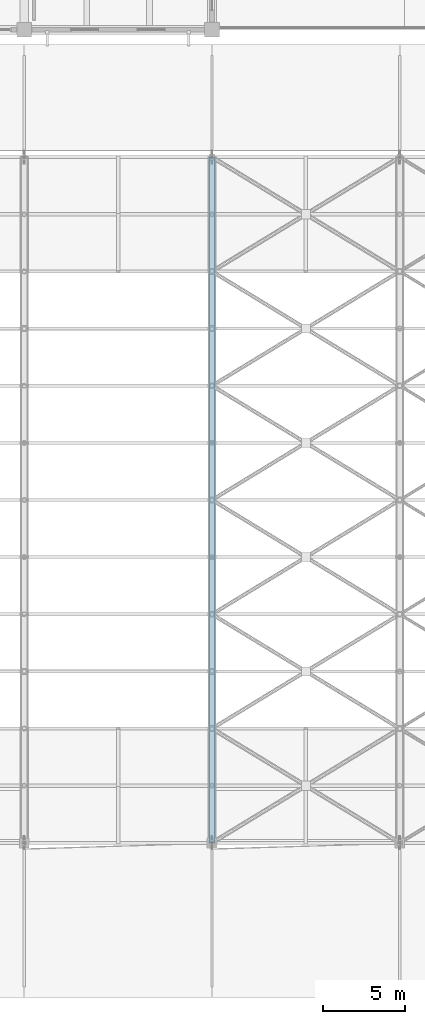
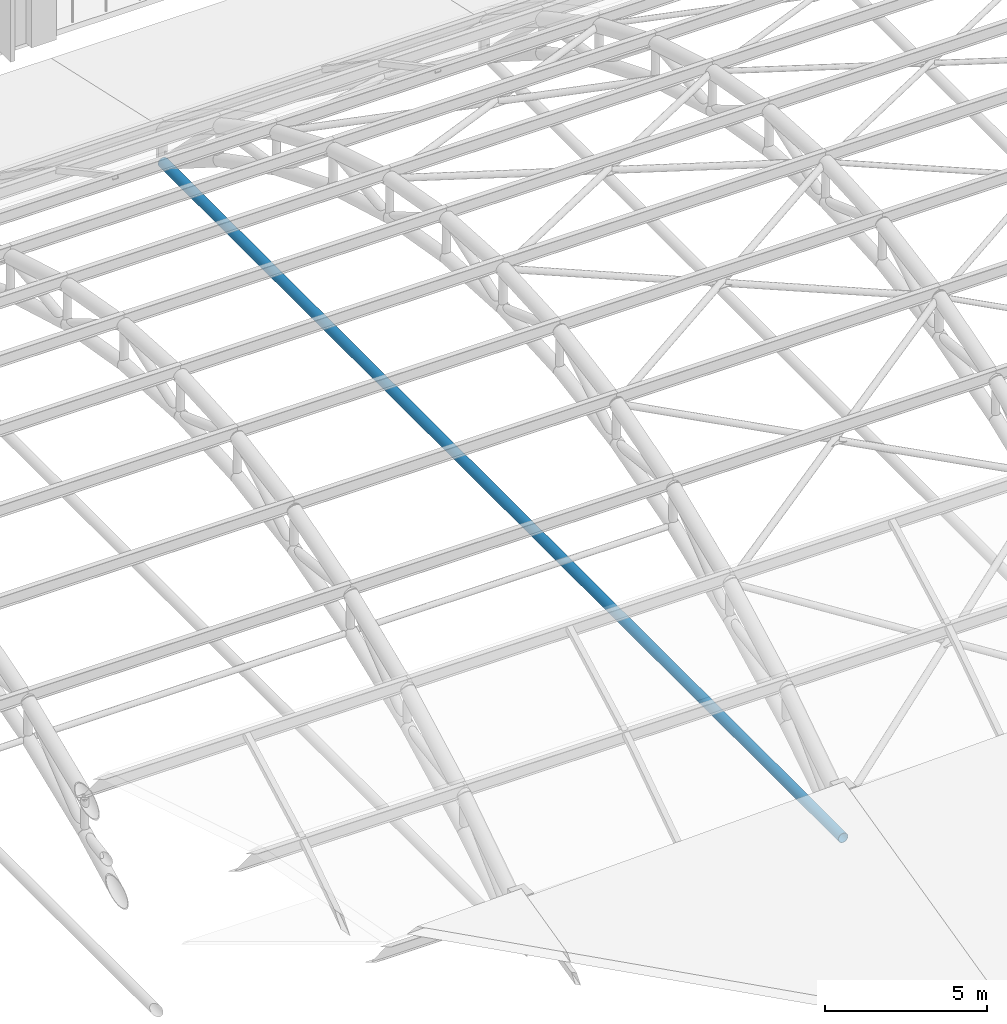
# One storey, part 105 of 154: 1 member.
"""IFC4 building model written with IfcOpenShell, lengths in metres."""

from ifc_helpers import new_model, si_unit, direction, frame, origin, origin_2d, place, context, subcontext, project, spatial, hollow_circle, extrude, material, material_profile, profile_set, type_object, element, save


model = new_model("IFC4")

# Units and contexts
model_context = context("Model", 3, precision=1e-05, world=origin(), true_north=direction((0.0, 1.0)))
body_context = subcontext(model_context, "Body", "Model", "MODEL_VIEW")
ifc_project = project(units=[si_unit("LENGTHUNIT", "METRE"), si_unit("AREAUNIT", "SQUARE_METRE"), si_unit("VOLUMEUNIT", "CUBIC_METRE"), si_unit("PLANEANGLEUNIT", "RADIAN"), si_unit("MASSUNIT", "GRAM", prefix="KILO")], contexts=[model_context])

# Site, building, storey
site_placement = place(None, origin())
site = spatial("IfcSite", under=ifc_project, at=site_placement, CompositionType="ELEMENT")
building_placement = place(site_placement, origin())
building = spatial("IfcBuilding", under=site, at=building_placement, Name="Ologun Quay Terminus", CompositionType="ELEMENT")
storey_placement = place(building_placement, frame((0.0, 0.0, 13.800048828125)))
storey = spatial("IfcBuildingStorey", under=building, at=storey_placement, Name="L03", CompositionType="ELEMENT", Elevation=13.800048828125)

# Member
ifc_material = material(Name="Steel S355", Category="steel")
ifc_material_profile = material_profile(ifc_material, hollow_circle(Radius=0.177734375, WallThickness=0.012451171875, at=origin_2d()), Name="CHS 355.6x12.5")
ifc_profile_set = profile_set([ifc_material_profile], Name="Steel S355")
member_type = type_object("IfcMemberType", Name="Arch Horizontal Tie Chord CHS355", PredefinedType="CHORD", material=ifc_profile_set)
member_placement = place(storey_placement, frame((161.0, 36.0, 0.0), z_axis=(0.0, 1.0, 0.0), x_axis=(-1.0, 0.0, 0.0)))
element("IfcMember", 1, at=member_placement, inside=storey, type_object=member_type, Name="AT1 Arch Tie Chord Grid 15", PredefinedType="CHORD", context=body_context, shape_type="SweptSolid", body=[
    extrude(hollow_circle(Radius=0.177734375, WallThickness=0.012451171875, at=origin_2d()), origin(), (0.0, 0.0, 1.0), 42.0),
])

save(model, "model.ifc")
